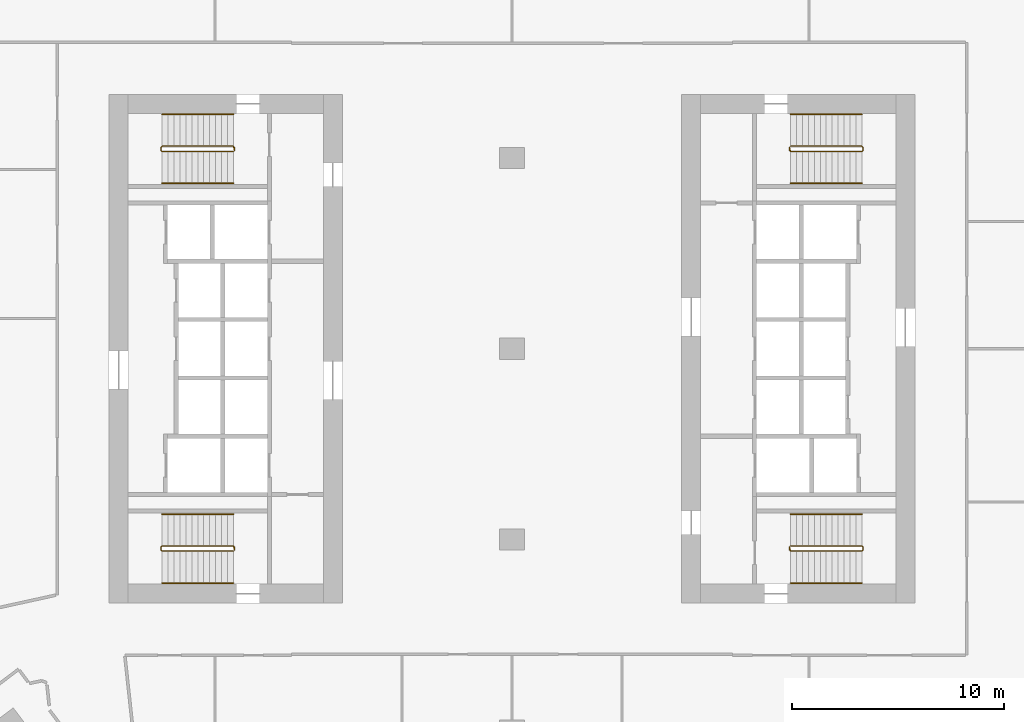
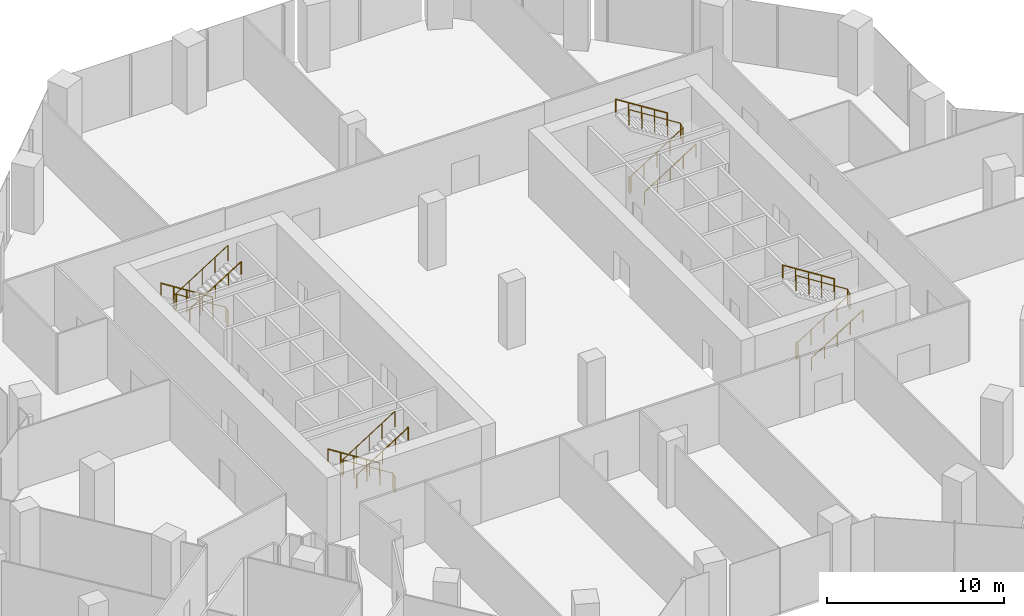
# One storey, part 29 of 30: 12 railings.
"""IFC4 building model written with IfcOpenShell, lengths in metres."""

from ifc_helpers import new_model, si_unit, direction, frame, origin, origin_2d, place, context, subcontext, project, spatial, circle, extrude, material, type_object, element, save


model = new_model("IFC4")

# Units and contexts
model_context = context("Model", 3, precision=1e-05, world=origin(), true_north=direction((0.0, 1.0)))
body_context = subcontext(model_context, "Body", "Model", "MODEL_VIEW")
ifc_project = project(units=[si_unit("LENGTHUNIT", "METRE"), si_unit("AREAUNIT", "SQUARE_METRE"), si_unit("VOLUMEUNIT", "CUBIC_METRE"), si_unit("PLANEANGLEUNIT", "RADIAN"), si_unit("MASSUNIT", "GRAM", prefix="KILO")], contexts=[model_context])

# Site, building, storey
site_placement = place(None, origin())
site = spatial("IfcSite", under=ifc_project, at=site_placement, CompositionType="ELEMENT")
building_placement = place(site_placement, origin())
building = spatial("IfcBuilding", under=site, at=building_placement, Name="Orlundy Tower", CompositionType="ELEMENT")
storey_placement = place(building_placement, frame((0.0, 0.0, 20.5)))
storey = spatial("IfcBuildingStorey", under=building, at=storey_placement, Name="L03", CompositionType="ELEMENT", Elevation=20.5)

# Railings
ifc_material_1 = material(Name="Steel balustrade", Category="steel")
railing_type_1 = type_object("IfcRailingType", Name="Stair Guard 1100", PredefinedType="GUARDRAIL", material=ifc_material_1)
railing_1_placement = place(storey_placement, frame((-13.090087890625, 9.5, 0.0)))
element("IfcRailing", 1, at=railing_1_placement, inside=storey, type_object=railing_type_1, Name="L03 ST-W1 stair guard 1", PredefinedType="GUARDRAIL", context=body_context, shape_type="SweptSolid", body=[
    extrude(circle(Radius=0.02392578125, at=origin_2d()), frame((0.0, 0.0, 1.076171875), z_axis=(0.0, -1.0, 0.0), x_axis=(1.0, 0.0, 0.0)), (0.0, 0.0, 1.0), 0.14990234375),
    extrude(circle(Radius=0.02392578125, at=origin_2d()), frame((0.0, -0.14990234375, 1.076171875), z_axis=(-0.183345178773, 0.73607696772, 0.651594385345), x_axis=(-0.970351222016, -0.241699205484, 0.0)), (0.0, 0.0, 1.0), 0.271728515625),
    extrude(circle(Radius=0.02392578125, at=origin_2d()), frame((-0.0498046875, 0.050048828125, 1.2529296875), z_axis=(-0.845389635667, 0.0, 0.534150132366), x_axis=(0.0, -1.0, 0.0)), (0.0, 0.0, 1.0), 3.974609375),
    extrude(circle(Radius=0.02392578125, at=origin_2d()), frame((-3.409912109375, 0.050048828125, 3.3759765625), z_axis=(-0.707106781187, -0.707106781187, 0.0), x_axis=(0.707106781187, -0.707106781187, 0.0)), (0.0, 0.0, 1.0), 0.07080078125),
    extrude(circle(Radius=0.02392578125, at=origin_2d()), frame((-3.4599609375, 0.0, 3.3759765625), z_axis=(0.0, -1.0, 0.0), x_axis=(1.0, 0.0, 0.0)), (0.0, 0.0, 1.0), 0.14990234375),
    extrude(circle(Radius=0.02392578125, at=origin_2d()), frame((-3.4599609375, -0.14990234375, 3.3759765625), z_axis=(0.262858103699, -0.262858103699, 0.928337888185), x_axis=(0.707106781187, 0.707106781187, 0.0)), (0.0, 0.0, 1.0), 0.1904296875),
    extrude(circle(Radius=0.02392578125, at=origin_2d()), frame((-3.409912109375, -0.199951171875, 3.552734375), z_axis=(0.845361898145, 0.0, 0.534194029511), x_axis=(0.0, 1.0, 0.0)), (0.0, 0.0, 1.0), 3.974853515625),
    extrude(circle(Radius=0.02099609375, at=origin_2d()), origin(), (0.0, 0.0, 1.0), 1.052001953125),
    extrude(circle(Radius=0.02099609375, at=origin_2d()), frame((0.0, -0.14990234375, 0.0)), (0.0, 0.0, 1.0), 1.052001953125),
    extrude(circle(Radius=0.02099609375, at=origin_2d()), frame((-0.0498046875, 0.050048828125, 0.177001953125)), (0.0, 0.0, 1.0), 1.052001953125),
    extrude(circle(Radius=0.02099609375, at=origin_2d()), frame((-0.889892578125, 0.050048828125, 0.707763671875)), (0.0, 0.0, 1.0), 1.052001953125),
    extrude(circle(Radius=0.02099609375, at=origin_2d()), frame((-1.72998046875, 0.050048828125, 1.238525390625)), (0.0, 0.0, 1.0), 1.052001953125),
    extrude(circle(Radius=0.02099609375, at=origin_2d()), frame((-2.56982421875, 0.050048828125, 1.769287109375)), (0.0, 0.0, 1.0), 1.052001953125),
    extrude(circle(Radius=0.02099609375, at=origin_2d()), frame((-3.409912109375, 0.050048828125, 2.300048828125)), (0.0, 0.0, 1.0), 1.052001953125),
    extrude(circle(Radius=0.02099609375, at=origin_2d()), frame((-3.4599609375, 0.0, 2.300048828125)), (0.0, 0.0, 1.0), 1.052001953125),
    extrude(circle(Radius=0.02099609375, at=origin_2d()), frame((-3.4599609375, -0.14990234375, 2.300048828125)), (0.0, 0.0, 1.0), 1.052001953125),
    extrude(circle(Radius=0.02099609375, at=origin_2d()), frame((-3.409912109375, -0.199951171875, 2.476806640625)), (0.0, 0.0, 1.0), 1.052001953125),
    extrude(circle(Radius=0.02099609375, at=origin_2d()), frame((-2.56982421875, -0.199951171875, 3.007568359375)), (0.0, 0.0, 1.0), 1.052001953125),
    extrude(circle(Radius=0.02099609375, at=origin_2d()), frame((-1.72998046875, -0.199951171875, 3.53857421875)), (0.0, 0.0, 1.0), 1.052001953125),
    extrude(circle(Radius=0.02099609375, at=origin_2d()), frame((-0.889892578125, -0.199951171875, 4.0693359375)), (0.0, 0.0, 1.0), 1.052001953125),
    extrude(circle(Radius=0.02099609375, at=origin_2d()), frame((-0.0498046875, -0.199951171875, 4.60009765625)), (0.0, 0.0, 1.0), 1.052001953125),
])
railing_2_placement = place(storey_placement, frame((-13.090087890625, -9.35009765625, 0.0)))
element("IfcRailing", 2, at=railing_2_placement, inside=storey, type_object=railing_type_1, Name="L03 ST-W2 stair guard 1", PredefinedType="GUARDRAIL", context=body_context, shape_type="SweptSolid", body=[
    extrude(circle(Radius=0.02392578125, at=origin_2d()), frame((0.0, 0.0, 1.076171875), z_axis=(0.0, -1.0, 0.0), x_axis=(1.0, 0.0, 0.0)), (0.0, 0.0, 1.0), 0.14990234375),
    extrude(circle(Radius=0.02392578125, at=origin_2d()), frame((0.0, -0.14990234375, 1.076171875), z_axis=(-0.183345178773, 0.73607696772, 0.651594385345), x_axis=(-0.970351222016, -0.241699205484, 0.0)), (0.0, 0.0, 1.0), 0.271728515625),
    extrude(circle(Radius=0.02392578125, at=origin_2d()), frame((-0.0498046875, 0.050048828125, 1.2529296875), z_axis=(-0.845389635667, 0.0, 0.534150132366), x_axis=(0.0, -1.0, 0.0)), (0.0, 0.0, 1.0), 3.974609375),
    extrude(circle(Radius=0.02392578125, at=origin_2d()), frame((-3.409912109375, 0.050048828125, 3.3759765625), z_axis=(-0.707106781187, -0.707106781187, 0.0), x_axis=(0.707106781187, -0.707106781187, 0.0)), (0.0, 0.0, 1.0), 0.07080078125),
    extrude(circle(Radius=0.02392578125, at=origin_2d()), frame((-3.4599609375, 0.0, 3.3759765625), z_axis=(0.0, -1.0, 0.0), x_axis=(1.0, 0.0, 0.0)), (0.0, 0.0, 1.0), 0.14990234375),
    extrude(circle(Radius=0.02392578125, at=origin_2d()), frame((-3.4599609375, -0.14990234375, 3.3759765625), z_axis=(0.262858103699, -0.262858103699, 0.928337888185), x_axis=(0.707106781187, 0.707106781187, 0.0)), (0.0, 0.0, 1.0), 0.1904296875),
    extrude(circle(Radius=0.02392578125, at=origin_2d()), frame((-3.409912109375, -0.199951171875, 3.552734375), z_axis=(0.845361898145, 0.0, 0.534194029511), x_axis=(0.0, 1.0, 0.0)), (0.0, 0.0, 1.0), 3.974853515625),
    extrude(circle(Radius=0.02099609375, at=origin_2d()), origin(), (0.0, 0.0, 1.0), 1.052001953125),
    extrude(circle(Radius=0.02099609375, at=origin_2d()), frame((0.0, -0.14990234375, 0.0)), (0.0, 0.0, 1.0), 1.052001953125),
    extrude(circle(Radius=0.02099609375, at=origin_2d()), frame((-0.0498046875, 0.050048828125, 0.177001953125)), (0.0, 0.0, 1.0), 1.052001953125),
    extrude(circle(Radius=0.02099609375, at=origin_2d()), frame((-0.889892578125, 0.050048828125, 0.707763671875)), (0.0, 0.0, 1.0), 1.052001953125),
    extrude(circle(Radius=0.02099609375, at=origin_2d()), frame((-1.72998046875, 0.050048828125, 1.238525390625)), (0.0, 0.0, 1.0), 1.052001953125),
    extrude(circle(Radius=0.02099609375, at=origin_2d()), frame((-2.56982421875, 0.050048828125, 1.769287109375)), (0.0, 0.0, 1.0), 1.052001953125),
    extrude(circle(Radius=0.02099609375, at=origin_2d()), frame((-3.409912109375, 0.050048828125, 2.300048828125)), (0.0, 0.0, 1.0), 1.052001953125),
    extrude(circle(Radius=0.02099609375, at=origin_2d()), frame((-3.4599609375, 0.0, 2.300048828125)), (0.0, 0.0, 1.0), 1.052001953125),
    extrude(circle(Radius=0.02099609375, at=origin_2d()), frame((-3.4599609375, -0.14990234375, 2.300048828125)), (0.0, 0.0, 1.0), 1.052001953125),
    extrude(circle(Radius=0.02099609375, at=origin_2d()), frame((-3.409912109375, -0.199951171875, 2.476806640625)), (0.0, 0.0, 1.0), 1.052001953125),
    extrude(circle(Radius=0.02099609375, at=origin_2d()), frame((-2.56982421875, -0.199951171875, 3.007568359375)), (0.0, 0.0, 1.0), 1.052001953125),
    extrude(circle(Radius=0.02099609375, at=origin_2d()), frame((-1.72998046875, -0.199951171875, 3.53857421875)), (0.0, 0.0, 1.0), 1.052001953125),
    extrude(circle(Radius=0.02099609375, at=origin_2d()), frame((-0.889892578125, -0.199951171875, 4.0693359375)), (0.0, 0.0, 1.0), 1.052001953125),
    extrude(circle(Radius=0.02099609375, at=origin_2d()), frame((-0.0498046875, -0.199951171875, 4.60009765625)), (0.0, 0.0, 1.0), 1.052001953125),
])
railing_3_placement = place(storey_placement, frame((13.090087890625, -9.5, 0.0)))
element("IfcRailing", 3, at=railing_3_placement, inside=storey, type_object=railing_type_1, Name="L03 ST-E1 stair guard 1", PredefinedType="GUARDRAIL", context=body_context, shape_type="SweptSolid", body=[
    extrude(circle(Radius=0.02392578125, at=origin_2d()), frame((0.0, 0.0, 1.076171875), z_axis=(0.0, 1.0, 0.0), x_axis=(-1.0, 0.0, 0.0)), (0.0, 0.0, 1.0), 0.14990234375),
    extrude(circle(Radius=0.02392578125, at=origin_2d()), frame((0.0, 0.14990234375, 1.076171875), z_axis=(0.183345178773, -0.73607696772, 0.651594385345), x_axis=(0.970351222016, 0.241699205484, 0.0)), (0.0, 0.0, 1.0), 0.271728515625),
    extrude(circle(Radius=0.02392578125, at=origin_2d()), frame((0.0498046875, -0.050048828125, 1.2529296875), z_axis=(0.845389635667, 0.0, 0.534150132366), x_axis=(0.0, 1.0, 0.0)), (0.0, 0.0, 1.0), 3.974609375),
    extrude(circle(Radius=0.02392578125, at=origin_2d()), frame((3.409912109375, -0.050048828125, 3.3759765625), z_axis=(0.707106781187, 0.707106781187, 0.0), x_axis=(-0.707106781187, 0.707106781187, 0.0)), (0.0, 0.0, 1.0), 0.07080078125),
    extrude(circle(Radius=0.02392578125, at=origin_2d()), frame((3.4599609375, 0.0, 3.3759765625), z_axis=(0.0, 1.0, 0.0), x_axis=(-1.0, 0.0, 0.0)), (0.0, 0.0, 1.0), 0.14990234375),
    extrude(circle(Radius=0.02392578125, at=origin_2d()), frame((3.4599609375, 0.14990234375, 3.3759765625), z_axis=(-0.262858103699, 0.262858103699, 0.928337888185), x_axis=(-0.707106781187, -0.707106781187, 0.0)), (0.0, 0.0, 1.0), 0.1904296875),
    extrude(circle(Radius=0.02392578125, at=origin_2d()), frame((3.409912109375, 0.199951171875, 3.552734375), z_axis=(-0.845361898145, 0.0, 0.534194029511), x_axis=(0.0, -1.0, 0.0)), (0.0, 0.0, 1.0), 3.974853515625),
    extrude(circle(Radius=0.02099609375, at=origin_2d()), origin(), (0.0, 0.0, 1.0), 1.052001953125),
    extrude(circle(Radius=0.02099609375, at=origin_2d()), frame((0.0, 0.14990234375, 0.0)), (0.0, 0.0, 1.0), 1.052001953125),
    extrude(circle(Radius=0.02099609375, at=origin_2d()), frame((0.0498046875, -0.050048828125, 0.177001953125)), (0.0, 0.0, 1.0), 1.052001953125),
    extrude(circle(Radius=0.02099609375, at=origin_2d()), frame((0.889892578125, -0.050048828125, 0.707763671875)), (0.0, 0.0, 1.0), 1.052001953125),
    extrude(circle(Radius=0.02099609375, at=origin_2d()), frame((1.72998046875, -0.050048828125, 1.238525390625)), (0.0, 0.0, 1.0), 1.052001953125),
    extrude(circle(Radius=0.02099609375, at=origin_2d()), frame((2.56982421875, -0.050048828125, 1.769287109375)), (0.0, 0.0, 1.0), 1.052001953125),
    extrude(circle(Radius=0.02099609375, at=origin_2d()), frame((3.409912109375, -0.050048828125, 2.300048828125)), (0.0, 0.0, 1.0), 1.052001953125),
    extrude(circle(Radius=0.02099609375, at=origin_2d()), frame((3.4599609375, 0.0, 2.300048828125)), (0.0, 0.0, 1.0), 1.052001953125),
    extrude(circle(Radius=0.02099609375, at=origin_2d()), frame((3.4599609375, 0.14990234375, 2.300048828125)), (0.0, 0.0, 1.0), 1.052001953125),
    extrude(circle(Radius=0.02099609375, at=origin_2d()), frame((3.409912109375, 0.199951171875, 2.476806640625)), (0.0, 0.0, 1.0), 1.052001953125),
    extrude(circle(Radius=0.02099609375, at=origin_2d()), frame((2.56982421875, 0.199951171875, 3.007568359375)), (0.0, 0.0, 1.0), 1.052001953125),
    extrude(circle(Radius=0.02099609375, at=origin_2d()), frame((1.72998046875, 0.199951171875, 3.53857421875)), (0.0, 0.0, 1.0), 1.052001953125),
    extrude(circle(Radius=0.02099609375, at=origin_2d()), frame((0.889892578125, 0.199951171875, 4.0693359375)), (0.0, 0.0, 1.0), 1.052001953125),
    extrude(circle(Radius=0.02099609375, at=origin_2d()), frame((0.0498046875, 0.199951171875, 4.60009765625)), (0.0, 0.0, 1.0), 1.052001953125),
])
railing_4_placement = place(storey_placement, frame((13.090087890625, 9.35009765625, 0.0)))
element("IfcRailing", 4, at=railing_4_placement, inside=storey, type_object=railing_type_1, Name="L03 ST-E2 stair guard 1", PredefinedType="GUARDRAIL", context=body_context, shape_type="SweptSolid", body=[
    extrude(circle(Radius=0.02392578125, at=origin_2d()), frame((0.0, 0.0, 1.076171875), z_axis=(0.0, 1.0, 0.0), x_axis=(-1.0, 0.0, 0.0)), (0.0, 0.0, 1.0), 0.14990234375),
    extrude(circle(Radius=0.02392578125, at=origin_2d()), frame((0.0, 0.14990234375, 1.076171875), z_axis=(0.183345178773, -0.73607696772, 0.651594385345), x_axis=(0.970351222016, 0.241699205484, 0.0)), (0.0, 0.0, 1.0), 0.271728515625),
    extrude(circle(Radius=0.02392578125, at=origin_2d()), frame((0.0498046875, -0.050048828125, 1.2529296875), z_axis=(0.845389635667, 0.0, 0.534150132366), x_axis=(0.0, 1.0, 0.0)), (0.0, 0.0, 1.0), 3.974609375),
    extrude(circle(Radius=0.02392578125, at=origin_2d()), frame((3.409912109375, -0.050048828125, 3.3759765625), z_axis=(0.707106781187, 0.707106781187, 0.0), x_axis=(-0.707106781187, 0.707106781187, 0.0)), (0.0, 0.0, 1.0), 0.07080078125),
    extrude(circle(Radius=0.02392578125, at=origin_2d()), frame((3.4599609375, 0.0, 3.3759765625), z_axis=(0.0, 1.0, 0.0), x_axis=(-1.0, 0.0, 0.0)), (0.0, 0.0, 1.0), 0.14990234375),
    extrude(circle(Radius=0.02392578125, at=origin_2d()), frame((3.4599609375, 0.14990234375, 3.3759765625), z_axis=(-0.262858103699, 0.262858103699, 0.928337888185), x_axis=(-0.707106781187, -0.707106781187, 0.0)), (0.0, 0.0, 1.0), 0.1904296875),
    extrude(circle(Radius=0.02392578125, at=origin_2d()), frame((3.409912109375, 0.199951171875, 3.552734375), z_axis=(-0.845361898145, 0.0, 0.534194029511), x_axis=(0.0, -1.0, 0.0)), (0.0, 0.0, 1.0), 3.974853515625),
    extrude(circle(Radius=0.02099609375, at=origin_2d()), origin(), (0.0, 0.0, 1.0), 1.052001953125),
    extrude(circle(Radius=0.02099609375, at=origin_2d()), frame((0.0, 0.14990234375, 0.0)), (0.0, 0.0, 1.0), 1.052001953125),
    extrude(circle(Radius=0.02099609375, at=origin_2d()), frame((0.0498046875, -0.050048828125, 0.177001953125)), (0.0, 0.0, 1.0), 1.052001953125),
    extrude(circle(Radius=0.02099609375, at=origin_2d()), frame((0.889892578125, -0.050048828125, 0.707763671875)), (0.0, 0.0, 1.0), 1.052001953125),
    extrude(circle(Radius=0.02099609375, at=origin_2d()), frame((1.72998046875, -0.050048828125, 1.238525390625)), (0.0, 0.0, 1.0), 1.052001953125),
    extrude(circle(Radius=0.02099609375, at=origin_2d()), frame((2.56982421875, -0.050048828125, 1.769287109375)), (0.0, 0.0, 1.0), 1.052001953125),
    extrude(circle(Radius=0.02099609375, at=origin_2d()), frame((3.409912109375, -0.050048828125, 2.300048828125)), (0.0, 0.0, 1.0), 1.052001953125),
    extrude(circle(Radius=0.02099609375, at=origin_2d()), frame((3.4599609375, 0.0, 2.300048828125)), (0.0, 0.0, 1.0), 1.052001953125),
    extrude(circle(Radius=0.02099609375, at=origin_2d()), frame((3.4599609375, 0.14990234375, 2.300048828125)), (0.0, 0.0, 1.0), 1.052001953125),
    extrude(circle(Radius=0.02099609375, at=origin_2d()), frame((3.409912109375, 0.199951171875, 2.476806640625)), (0.0, 0.0, 1.0), 1.052001953125),
    extrude(circle(Radius=0.02099609375, at=origin_2d()), frame((2.56982421875, 0.199951171875, 3.007568359375)), (0.0, 0.0, 1.0), 1.052001953125),
    extrude(circle(Radius=0.02099609375, at=origin_2d()), frame((1.72998046875, 0.199951171875, 3.53857421875)), (0.0, 0.0, 1.0), 1.052001953125),
    extrude(circle(Radius=0.02099609375, at=origin_2d()), frame((0.889892578125, 0.199951171875, 4.0693359375)), (0.0, 0.0, 1.0), 1.052001953125),
    extrude(circle(Radius=0.02099609375, at=origin_2d()), frame((0.0498046875, 0.199951171875, 4.60009765625)), (0.0, 0.0, 1.0), 1.052001953125),
])
ifc_material_2 = material(Name="Steel handrail", Category="steel")
railing_type_2 = type_object("IfcRailingType", Name="Stair Handrail 900", PredefinedType="HANDRAIL", material=ifc_material_2)
railing_5_placement = place(storey_placement, frame((-13.139892578125, 11.050048828125, 0.177001953125)))
element("IfcRailing", 5, at=railing_5_placement, inside=storey, type_object=railing_type_2, Name="L03 ST-W1 stair handrail 1", PredefinedType="HANDRAIL", context=body_context, shape_type="SweptSolid", body=[
    extrude(circle(Radius=0.02392578125, at=origin_2d()), frame((0.0, 0.0, 0.8759765625), z_axis=(-0.845389635667, 0.0, 0.534150132366), x_axis=(0.0, -1.0, 0.0)), (0.0, 0.0, 1.0), 3.974609375),
    extrude(circle(Radius=0.02099609375, at=origin_2d()), origin(), (0.0, 0.0, 1.0), 0.851806640625),
    extrude(circle(Radius=0.02099609375, at=origin_2d()), frame((-0.840087890625, 0.0, 0.53076171875)), (0.0, 0.0, 1.0), 0.851806640625),
    extrude(circle(Radius=0.02099609375, at=origin_2d()), frame((-1.68017578125, 0.0, 1.0615234375)), (0.0, 0.0, 1.0), 0.851806640625),
    extrude(circle(Radius=0.02099609375, at=origin_2d()), frame((-2.52001953125, 0.0, 1.59228515625)), (0.0, 0.0, 1.0), 0.851806640625),
    extrude(circle(Radius=0.02099609375, at=origin_2d()), frame((-3.360107421875, 0.0, 2.123046875)), (0.0, 0.0, 1.0), 0.851806640625),
])
railing_6_placement = place(storey_placement, frame((-16.5, 7.800048828125, 2.476806640625)))
element("IfcRailing", 6, at=railing_6_placement, inside=storey, type_object=railing_type_2, Name="L03 ST-W1 stair handrail 2", PredefinedType="HANDRAIL", context=body_context, shape_type="SweptSolid", body=[
    extrude(circle(Radius=0.02392578125, at=origin_2d()), frame((0.0, 0.0, 0.8759765625), z_axis=(0.845361898145, 0.0, 0.534194029511), x_axis=(0.0, 1.0, 0.0)), (0.0, 0.0, 1.0), 3.974853515625),
    extrude(circle(Radius=0.02099609375, at=origin_2d()), origin(), (0.0, 0.0, 1.0), 0.851806640625),
    extrude(circle(Radius=0.02099609375, at=origin_2d()), frame((0.840087890625, 0.0, 0.53076171875)), (0.0, 0.0, 1.0), 0.851806640625),
    extrude(circle(Radius=0.02099609375, at=origin_2d()), frame((1.68017578125, 0.0, 1.0615234375)), (0.0, 0.0, 1.0), 0.851806640625),
    extrude(circle(Radius=0.02099609375, at=origin_2d()), frame((2.52001953125, 0.0, 1.592529296875)), (0.0, 0.0, 1.0), 0.851806640625),
    extrude(circle(Radius=0.02099609375, at=origin_2d()), frame((3.360107421875, 0.0, 2.123291015625)), (0.0, 0.0, 1.0), 0.851806640625),
])
railing_7_placement = place(storey_placement, frame((-13.139892578125, -7.800048828125, 0.177001953125)))
element("IfcRailing", 7, at=railing_7_placement, inside=storey, type_object=railing_type_2, Name="L03 ST-W2 stair handrail 1", PredefinedType="HANDRAIL", context=body_context, shape_type="SweptSolid", body=[
    extrude(circle(Radius=0.02392578125, at=origin_2d()), frame((0.0, 0.0, 0.8759765625), z_axis=(-0.845389635667, 0.0, 0.534150132366), x_axis=(0.0, -1.0, 0.0)), (0.0, 0.0, 1.0), 3.974609375),
    extrude(circle(Radius=0.02099609375, at=origin_2d()), origin(), (0.0, 0.0, 1.0), 0.851806640625),
    extrude(circle(Radius=0.02099609375, at=origin_2d()), frame((-0.840087890625, 0.0, 0.53076171875)), (0.0, 0.0, 1.0), 0.851806640625),
    extrude(circle(Radius=0.02099609375, at=origin_2d()), frame((-1.68017578125, 0.0, 1.0615234375)), (0.0, 0.0, 1.0), 0.851806640625),
    extrude(circle(Radius=0.02099609375, at=origin_2d()), frame((-2.52001953125, 0.0, 1.59228515625)), (0.0, 0.0, 1.0), 0.851806640625),
    extrude(circle(Radius=0.02099609375, at=origin_2d()), frame((-3.360107421875, 0.0, 2.123046875)), (0.0, 0.0, 1.0), 0.851806640625),
])
railing_8_placement = place(storey_placement, frame((-16.5, -11.050048828125, 2.476806640625)))
element("IfcRailing", 8, at=railing_8_placement, inside=storey, type_object=railing_type_2, Name="L03 ST-W2 stair handrail 2", PredefinedType="HANDRAIL", context=body_context, shape_type="SweptSolid", body=[
    extrude(circle(Radius=0.02392578125, at=origin_2d()), frame((0.0, 0.0, 0.8759765625), z_axis=(0.845361898145, 0.0, 0.534194029511), x_axis=(0.0, 1.0, 0.0)), (0.0, 0.0, 1.0), 3.974853515625),
    extrude(circle(Radius=0.02099609375, at=origin_2d()), origin(), (0.0, 0.0, 1.0), 0.851806640625),
    extrude(circle(Radius=0.02099609375, at=origin_2d()), frame((0.840087890625, 0.0, 0.53076171875)), (0.0, 0.0, 1.0), 0.851806640625),
    extrude(circle(Radius=0.02099609375, at=origin_2d()), frame((1.68017578125, 0.0, 1.0615234375)), (0.0, 0.0, 1.0), 0.851806640625),
    extrude(circle(Radius=0.02099609375, at=origin_2d()), frame((2.52001953125, 0.0, 1.592529296875)), (0.0, 0.0, 1.0), 0.851806640625),
    extrude(circle(Radius=0.02099609375, at=origin_2d()), frame((3.360107421875, 0.0, 2.123291015625)), (0.0, 0.0, 1.0), 0.851806640625),
])
railing_9_placement = place(storey_placement, frame((13.139892578125, -11.050048828125, 0.177001953125)))
element("IfcRailing", 9, at=railing_9_placement, inside=storey, type_object=railing_type_2, Name="L03 ST-E1 stair handrail 1", PredefinedType="HANDRAIL", context=body_context, shape_type="SweptSolid", body=[
    extrude(circle(Radius=0.02392578125, at=origin_2d()), frame((0.0, 0.0, 0.8759765625), z_axis=(0.845389635667, 0.0, 0.534150132366), x_axis=(0.0, 1.0, 0.0)), (0.0, 0.0, 1.0), 3.974609375),
    extrude(circle(Radius=0.02099609375, at=origin_2d()), origin(), (0.0, 0.0, 1.0), 0.851806640625),
    extrude(circle(Radius=0.02099609375, at=origin_2d()), frame((0.840087890625, 0.0, 0.53076171875)), (0.0, 0.0, 1.0), 0.851806640625),
    extrude(circle(Radius=0.02099609375, at=origin_2d()), frame((1.68017578125, 0.0, 1.0615234375)), (0.0, 0.0, 1.0), 0.851806640625),
    extrude(circle(Radius=0.02099609375, at=origin_2d()), frame((2.52001953125, 0.0, 1.59228515625)), (0.0, 0.0, 1.0), 0.851806640625),
    extrude(circle(Radius=0.02099609375, at=origin_2d()), frame((3.360107421875, 0.0, 2.123046875)), (0.0, 0.0, 1.0), 0.851806640625),
])
railing_10_placement = place(storey_placement, frame((16.5, -7.800048828125, 2.476806640625)))
element("IfcRailing", 10, at=railing_10_placement, inside=storey, type_object=railing_type_2, Name="L03 ST-E1 stair handrail 2", PredefinedType="HANDRAIL", context=body_context, shape_type="SweptSolid", body=[
    extrude(circle(Radius=0.02392578125, at=origin_2d()), frame((0.0, 0.0, 0.8759765625), z_axis=(-0.845361898145, 0.0, 0.534194029511), x_axis=(0.0, -1.0, 0.0)), (0.0, 0.0, 1.0), 3.974853515625),
    extrude(circle(Radius=0.02099609375, at=origin_2d()), origin(), (0.0, 0.0, 1.0), 0.851806640625),
    extrude(circle(Radius=0.02099609375, at=origin_2d()), frame((-0.840087890625, 0.0, 0.53076171875)), (0.0, 0.0, 1.0), 0.851806640625),
    extrude(circle(Radius=0.02099609375, at=origin_2d()), frame((-1.68017578125, 0.0, 1.0615234375)), (0.0, 0.0, 1.0), 0.851806640625),
    extrude(circle(Radius=0.02099609375, at=origin_2d()), frame((-2.52001953125, 0.0, 1.592529296875)), (0.0, 0.0, 1.0), 0.851806640625),
    extrude(circle(Radius=0.02099609375, at=origin_2d()), frame((-3.360107421875, 0.0, 2.123291015625)), (0.0, 0.0, 1.0), 0.851806640625),
])
railing_11_placement = place(storey_placement, frame((13.139892578125, 7.800048828125, 0.177001953125)))
element("IfcRailing", 11, at=railing_11_placement, inside=storey, type_object=railing_type_2, Name="L03 ST-E2 stair handrail 1", PredefinedType="HANDRAIL", context=body_context, shape_type="SweptSolid", body=[
    extrude(circle(Radius=0.02392578125, at=origin_2d()), frame((0.0, 0.0, 0.8759765625), z_axis=(0.845389635667, 0.0, 0.534150132366), x_axis=(0.0, 1.0, 0.0)), (0.0, 0.0, 1.0), 3.974609375),
    extrude(circle(Radius=0.02099609375, at=origin_2d()), origin(), (0.0, 0.0, 1.0), 0.851806640625),
    extrude(circle(Radius=0.02099609375, at=origin_2d()), frame((0.840087890625, 0.0, 0.53076171875)), (0.0, 0.0, 1.0), 0.851806640625),
    extrude(circle(Radius=0.02099609375, at=origin_2d()), frame((1.68017578125, 0.0, 1.0615234375)), (0.0, 0.0, 1.0), 0.851806640625),
    extrude(circle(Radius=0.02099609375, at=origin_2d()), frame((2.52001953125, 0.0, 1.59228515625)), (0.0, 0.0, 1.0), 0.851806640625),
    extrude(circle(Radius=0.02099609375, at=origin_2d()), frame((3.360107421875, 0.0, 2.123046875)), (0.0, 0.0, 1.0), 0.851806640625),
])
railing_12_placement = place(storey_placement, frame((16.5, 11.050048828125, 2.476806640625)))
element("IfcRailing", 12, at=railing_12_placement, inside=storey, type_object=railing_type_2, Name="L03 ST-E2 stair handrail 2", PredefinedType="HANDRAIL", context=body_context, shape_type="SweptSolid", body=[
    extrude(circle(Radius=0.02392578125, at=origin_2d()), frame((0.0, 0.0, 0.8759765625), z_axis=(-0.845361898145, 0.0, 0.534194029511), x_axis=(0.0, -1.0, 0.0)), (0.0, 0.0, 1.0), 3.974853515625),
    extrude(circle(Radius=0.02099609375, at=origin_2d()), origin(), (0.0, 0.0, 1.0), 0.851806640625),
    extrude(circle(Radius=0.02099609375, at=origin_2d()), frame((-0.840087890625, 0.0, 0.53076171875)), (0.0, 0.0, 1.0), 0.851806640625),
    extrude(circle(Radius=0.02099609375, at=origin_2d()), frame((-1.68017578125, 0.0, 1.0615234375)), (0.0, 0.0, 1.0), 0.851806640625),
    extrude(circle(Radius=0.02099609375, at=origin_2d()), frame((-2.52001953125, 0.0, 1.592529296875)), (0.0, 0.0, 1.0), 0.851806640625),
    extrude(circle(Radius=0.02099609375, at=origin_2d()), frame((-3.360107421875, 0.0, 2.123291015625)), (0.0, 0.0, 1.0), 0.851806640625),
])

save(model, "model.ifc")
